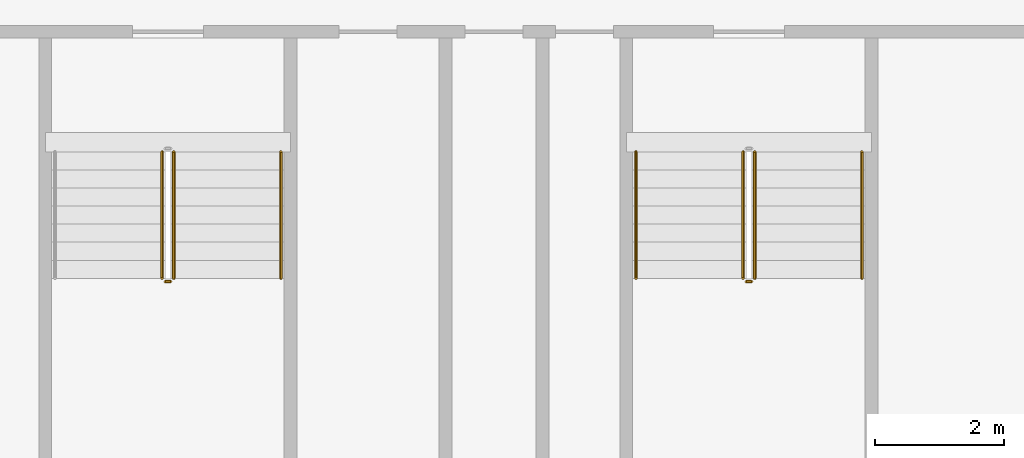
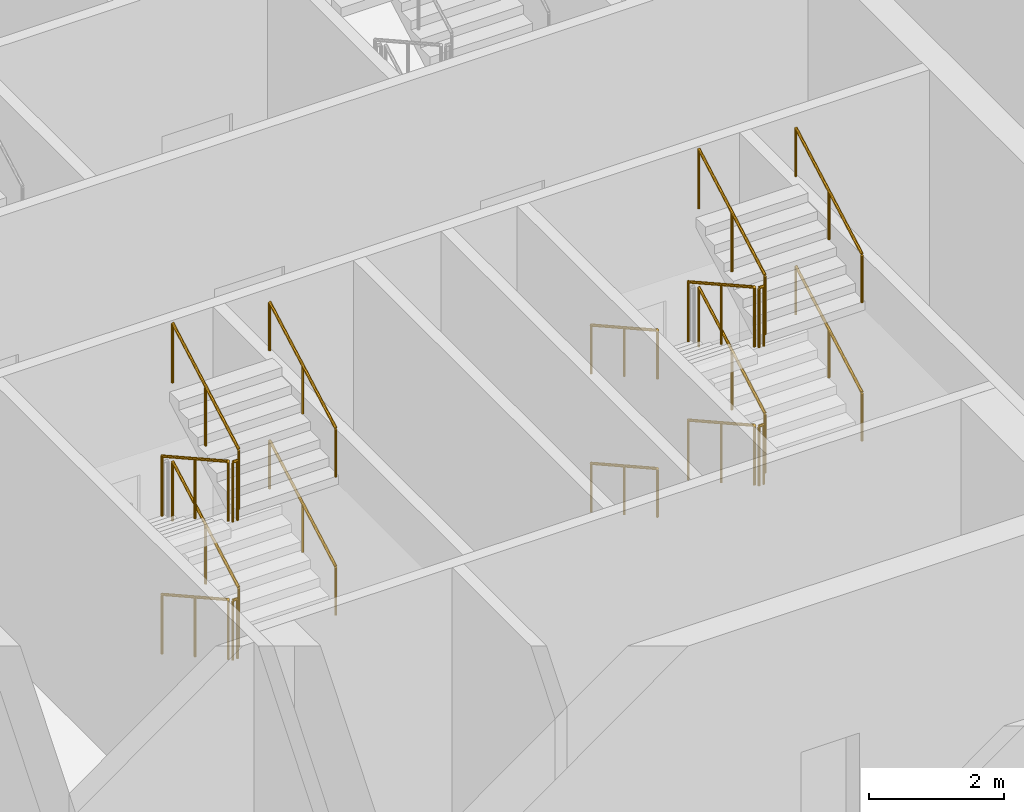
# One storey, part 13 of 21: 18 railings.
"""IFC4 building model written with IfcOpenShell, lengths in metres."""

from ifc_helpers import new_model, si_unit, direction, frame, origin, origin_2d, place, context, subcontext, project, spatial, circle, extrude, material, type_object, element, save


model = new_model("IFC4")

# Units and contexts
model_context = context("Model", 3, precision=1e-05, world=origin(), true_north=direction((0.0, 1.0)))
body_context = subcontext(model_context, "Body", "Model", "MODEL_VIEW")
ifc_project = project(units=[si_unit("LENGTHUNIT", "METRE"), si_unit("AREAUNIT", "SQUARE_METRE"), si_unit("VOLUMEUNIT", "CUBIC_METRE"), si_unit("PLANEANGLEUNIT", "RADIAN"), si_unit("MASSUNIT", "GRAM", prefix="KILO")], contexts=[model_context])

# Site, building, storey
site_placement = place(None, origin())
site = spatial("IfcSite", under=ifc_project, at=site_placement, CompositionType="ELEMENT")
building_placement = place(site_placement, origin())
building = spatial("IfcBuilding", under=site, at=building_placement, Name="Tarsis Ring Headquarters", CompositionType="ELEMENT")
storey_placement = place(building_placement, frame((0.0, 0.0, 398.60009765625)))
storey = spatial("IfcBuildingStorey", under=building, at=storey_placement, Name="L94", CompositionType="ELEMENT", Elevation=398.60009765625)

# Railings
ifc_material = material(Name="Steel S355", Category="steel")
railing_type_1 = type_object("IfcRailingType", Name="Core stair guard 1100", PredefinedType="GUARDRAIL", material=ifc_material)
railing_1_placement = place(storey_placement, frame((-4.590087890625, -3.659912109375, 0.15625)))
element("IfcRailing", 1, at=railing_1_placement, inside=storey, type_object=railing_type_1, Name="L94 ST3 stair guard 1", PredefinedType="GUARDRAIL", context=body_context, shape_type="SweptSolid", body=[
    extrude(circle(Radius=0.02392578125, at=origin_2d()), frame((0.0, 0.0, 1.076171875), z_axis=(0.0, -0.873257974695, 0.487258155017), x_axis=(1.0, 0.0, 0.0)), (0.0, 0.0, 1.0), 2.24462890625),
    extrude(circle(Radius=0.02099609375, at=origin_2d()), origin(), (0.0, 0.0, 1.0), 1.052001953125),
    extrude(circle(Radius=0.02099609375, at=origin_2d()), frame((0.0, -0.97998046875, 0.546875)), (0.0, 0.0, 1.0), 1.052001953125),
    extrude(circle(Radius=0.02099609375, at=origin_2d()), frame((0.0, -1.960205078125, 1.09375)), (0.0, 0.0, 1.0), 1.052001953125),
])
railing_2_placement = place(storey_placement, frame((-4.5400390625, -5.669921875, 1.25)))
element("IfcRailing", 2, at=railing_2_placement, inside=storey, type_object=railing_type_1, Name="L94 ST3 stair guard 2", PredefinedType="GUARDRAIL", context=body_context, shape_type="SweptSolid", body=[
    extrude(circle(Radius=0.02392578125, at=origin_2d()), frame((0.0, 0.0, 1.076171875), z_axis=(1.0, 0.0, 0.0), x_axis=(0.0, 1.0, 0.0)), (0.0, 0.0, 1.0), 0.080078125),
    extrude(circle(Radius=0.02099609375, at=origin_2d()), origin(), (0.0, 0.0, 1.0), 1.052001953125),
    extrude(circle(Radius=0.02099609375, at=origin_2d()), frame((0.080078125, 0.0, 0.0)), (0.0, 0.0, 1.0), 1.052001953125),
])
railing_3_placement = place(storey_placement, frame((-4.409912109375, -5.6201171875, 1.40625)))
element("IfcRailing", 3, at=railing_3_placement, inside=storey, type_object=railing_type_1, Name="L94 ST3 stair guard 3", PredefinedType="GUARDRAIL", context=body_context, shape_type="SweptSolid", body=[
    extrude(circle(Radius=0.02392578125, at=origin_2d()), frame((0.0, 0.0, 1.076171875), z_axis=(0.0, 0.873257974695, 0.487258155017), x_axis=(-1.0, 0.0, 0.0)), (0.0, 0.0, 1.0), 2.24462890625),
    extrude(circle(Radius=0.02099609375, at=origin_2d()), origin(), (0.0, 0.0, 1.0), 1.052001953125),
    extrude(circle(Radius=0.02099609375, at=origin_2d()), frame((0.0, 0.97998046875, 0.546875)), (0.0, 0.0, 1.0), 1.052001953125),
    extrude(circle(Radius=0.02099609375, at=origin_2d()), frame((0.0, 1.960205078125, 1.09375)), (0.0, 0.0, 1.0), 1.052001953125),
])
railing_4_placement = place(storey_placement, frame((-4.590087890625, -3.659912109375, 2.65625)))
element("IfcRailing", 4, at=railing_4_placement, inside=storey, type_object=railing_type_1, Name="L94 ST3 stair guard 5", PredefinedType="GUARDRAIL", context=body_context, shape_type="SweptSolid", body=[
    extrude(circle(Radius=0.02392578125, at=origin_2d()), frame((0.0, 0.0, 1.076171875), z_axis=(0.0, -0.873257974695, 0.487258155017), x_axis=(1.0, 0.0, 0.0)), (0.0, 0.0, 1.0), 2.24462890625),
    extrude(circle(Radius=0.02099609375, at=origin_2d()), origin(), (0.0, 0.0, 1.0), 1.052001953125),
    extrude(circle(Radius=0.02099609375, at=origin_2d()), frame((0.0, -0.97998046875, 0.546875)), (0.0, 0.0, 1.0), 1.052001953125),
    extrude(circle(Radius=0.02099609375, at=origin_2d()), frame((0.0, -1.960205078125, 1.09375)), (0.0, 0.0, 1.0), 1.052001953125),
])
railing_5_placement = place(storey_placement, frame((-4.5400390625, -5.669921875, 3.75)))
element("IfcRailing", 5, at=railing_5_placement, inside=storey, type_object=railing_type_1, Name="L94 ST3 stair guard 6", PredefinedType="GUARDRAIL", context=body_context, shape_type="SweptSolid", body=[
    extrude(circle(Radius=0.02392578125, at=origin_2d()), frame((0.0, 0.0, 1.076171875), z_axis=(1.0, 0.0, 0.0), x_axis=(0.0, 1.0, 0.0)), (0.0, 0.0, 1.0), 0.080078125),
    extrude(circle(Radius=0.02099609375, at=origin_2d()), origin(), (0.0, 0.0, 1.0), 1.052001953125),
    extrude(circle(Radius=0.02099609375, at=origin_2d()), frame((0.080078125, 0.0, 0.0)), (0.0, 0.0, 1.0), 1.052001953125),
])
railing_6_placement = place(storey_placement, frame((-4.409912109375, -5.6201171875, 3.90625)))
element("IfcRailing", 6, at=railing_6_placement, inside=storey, type_object=railing_type_1, Name="L94 ST3 stair guard 7", PredefinedType="GUARDRAIL", context=body_context, shape_type="SweptSolid", body=[
    extrude(circle(Radius=0.02392578125, at=origin_2d()), frame((0.0, 0.0, 1.076171875), z_axis=(0.0, 0.873257974695, 0.487258155017), x_axis=(-1.0, 0.0, 0.0)), (0.0, 0.0, 1.0), 2.24462890625),
    extrude(circle(Radius=0.02099609375, at=origin_2d()), origin(), (0.0, 0.0, 1.0), 1.052001953125),
    extrude(circle(Radius=0.02099609375, at=origin_2d()), frame((0.0, 0.97998046875, 0.546875)), (0.0, 0.0, 1.0), 1.052001953125),
    extrude(circle(Radius=0.02099609375, at=origin_2d()), frame((0.0, 1.960205078125, 1.09375)), (0.0, 0.0, 1.0), 1.052001953125),
])
railing_7_placement = place(storey_placement, frame((4.409912109375, -3.659912109375, 0.15625)))
element("IfcRailing", 7, at=railing_7_placement, inside=storey, type_object=railing_type_1, Name="L94 ST4 stair guard 1", PredefinedType="GUARDRAIL", context=body_context, shape_type="SweptSolid", body=[
    extrude(circle(Radius=0.02392578125, at=origin_2d()), frame((0.0, 0.0, 1.076171875), z_axis=(0.0, -0.873257974695, 0.487258155017), x_axis=(1.0, 0.0, 0.0)), (0.0, 0.0, 1.0), 2.24462890625),
    extrude(circle(Radius=0.02099609375, at=origin_2d()), origin(), (0.0, 0.0, 1.0), 1.052001953125),
    extrude(circle(Radius=0.02099609375, at=origin_2d()), frame((0.0, -0.97998046875, 0.546875)), (0.0, 0.0, 1.0), 1.052001953125),
    extrude(circle(Radius=0.02099609375, at=origin_2d()), frame((0.0, -1.960205078125, 1.09375)), (0.0, 0.0, 1.0), 1.052001953125),
])
railing_8_placement = place(storey_placement, frame((4.4599609375, -5.669921875, 1.25)))
element("IfcRailing", 8, at=railing_8_placement, inside=storey, type_object=railing_type_1, Name="L94 ST4 stair guard 2", PredefinedType="GUARDRAIL", context=body_context, shape_type="SweptSolid", body=[
    extrude(circle(Radius=0.02392578125, at=origin_2d()), frame((0.0, 0.0, 1.076171875), z_axis=(1.0, 0.0, 0.0), x_axis=(0.0, 1.0, 0.0)), (0.0, 0.0, 1.0), 0.080078125),
    extrude(circle(Radius=0.02099609375, at=origin_2d()), origin(), (0.0, 0.0, 1.0), 1.052001953125),
    extrude(circle(Radius=0.02099609375, at=origin_2d()), frame((0.080078125, 0.0, 0.0)), (0.0, 0.0, 1.0), 1.052001953125),
])
railing_9_placement = place(storey_placement, frame((4.590087890625, -5.6201171875, 1.40625)))
element("IfcRailing", 9, at=railing_9_placement, inside=storey, type_object=railing_type_1, Name="L94 ST4 stair guard 3", PredefinedType="GUARDRAIL", context=body_context, shape_type="SweptSolid", body=[
    extrude(circle(Radius=0.02392578125, at=origin_2d()), frame((0.0, 0.0, 1.076171875), z_axis=(0.0, 0.873257974695, 0.487258155017), x_axis=(-1.0, 0.0, 0.0)), (0.0, 0.0, 1.0), 2.24462890625),
    extrude(circle(Radius=0.02099609375, at=origin_2d()), origin(), (0.0, 0.0, 1.0), 1.052001953125),
    extrude(circle(Radius=0.02099609375, at=origin_2d()), frame((0.0, 0.97998046875, 0.546875)), (0.0, 0.0, 1.0), 1.052001953125),
    extrude(circle(Radius=0.02099609375, at=origin_2d()), frame((0.0, 1.960205078125, 1.09375)), (0.0, 0.0, 1.0), 1.052001953125),
])
railing_10_placement = place(storey_placement, frame((4.409912109375, -3.659912109375, 2.65625)))
element("IfcRailing", 10, at=railing_10_placement, inside=storey, type_object=railing_type_1, Name="L94 ST4 stair guard 5", PredefinedType="GUARDRAIL", context=body_context, shape_type="SweptSolid", body=[
    extrude(circle(Radius=0.02392578125, at=origin_2d()), frame((0.0, 0.0, 1.076171875), z_axis=(0.0, -0.873257974695, 0.487258155017), x_axis=(1.0, 0.0, 0.0)), (0.0, 0.0, 1.0), 2.24462890625),
    extrude(circle(Radius=0.02099609375, at=origin_2d()), origin(), (0.0, 0.0, 1.0), 1.052001953125),
    extrude(circle(Radius=0.02099609375, at=origin_2d()), frame((0.0, -0.97998046875, 0.546875)), (0.0, 0.0, 1.0), 1.052001953125),
    extrude(circle(Radius=0.02099609375, at=origin_2d()), frame((0.0, -1.960205078125, 1.09375)), (0.0, 0.0, 1.0), 1.052001953125),
])
railing_11_placement = place(storey_placement, frame((4.4599609375, -5.669921875, 3.75)))
element("IfcRailing", 11, at=railing_11_placement, inside=storey, type_object=railing_type_1, Name="L94 ST4 stair guard 6", PredefinedType="GUARDRAIL", context=body_context, shape_type="SweptSolid", body=[
    extrude(circle(Radius=0.02392578125, at=origin_2d()), frame((0.0, 0.0, 1.076171875), z_axis=(1.0, 0.0, 0.0), x_axis=(0.0, 1.0, 0.0)), (0.0, 0.0, 1.0), 0.080078125),
    extrude(circle(Radius=0.02099609375, at=origin_2d()), origin(), (0.0, 0.0, 1.0), 1.052001953125),
    extrude(circle(Radius=0.02099609375, at=origin_2d()), frame((0.080078125, 0.0, 0.0)), (0.0, 0.0, 1.0), 1.052001953125),
])
railing_12_placement = place(storey_placement, frame((4.590087890625, -5.6201171875, 3.90625)))
element("IfcRailing", 12, at=railing_12_placement, inside=storey, type_object=railing_type_1, Name="L94 ST4 stair guard 7", PredefinedType="GUARDRAIL", context=body_context, shape_type="SweptSolid", body=[
    extrude(circle(Radius=0.02392578125, at=origin_2d()), frame((0.0, 0.0, 1.076171875), z_axis=(0.0, 0.873257974695, 0.487258155017), x_axis=(-1.0, 0.0, 0.0)), (0.0, 0.0, 1.0), 2.24462890625),
    extrude(circle(Radius=0.02099609375, at=origin_2d()), origin(), (0.0, 0.0, 1.0), 1.052001953125),
    extrude(circle(Radius=0.02099609375, at=origin_2d()), frame((0.0, 0.97998046875, 0.546875)), (0.0, 0.0, 1.0), 1.052001953125),
    extrude(circle(Radius=0.02099609375, at=origin_2d()), frame((0.0, 1.960205078125, 1.09375)), (0.0, 0.0, 1.0), 1.052001953125),
])
railing_type_2 = type_object("IfcRailingType", Name="Core stair handrail 900", PredefinedType="HANDRAIL", material=ifc_material)
for number, where, name in (
    (13, (-2.75, -5.6201171875, 1.40625), "L94 ST3 stair handrail 2"),
    (14, (-2.75, -5.6201171875, 3.90625), "L94 ST3 stair handrail 4"),
):
    element("IfcRailing", number, at=place(storey_placement, frame(where)), inside=storey, type_object=railing_type_2, Name=name, PredefinedType="HANDRAIL", context=body_context, shape_type="SweptSolid", body=[
        extrude(circle(Radius=0.02392578125, at=origin_2d()), frame((0.0, 0.0, 0.8759765625), z_axis=(0.0, 0.873257974695, 0.487258155017), x_axis=(-1.0, 0.0, 0.0)), (0.0, 0.0, 1.0), 2.24462890625),
        extrude(circle(Radius=0.02099609375, at=origin_2d()), origin(), (0.0, 0.0, 1.0), 0.851806640625),
        extrude(circle(Radius=0.02099609375, at=origin_2d()), frame((0.0, 0.97998046875, 0.546875)), (0.0, 0.0, 1.0), 0.851806640625),
        extrude(circle(Radius=0.02099609375, at=origin_2d()), frame((0.0, 1.960205078125, 1.09375)), (0.0, 0.0, 1.0), 0.851806640625),
    ])
railing_13_placement = place(storey_placement, frame((2.75, -3.659912109375, 0.15625)))
element("IfcRailing", 15, at=railing_13_placement, inside=storey, type_object=railing_type_2, Name="L94 ST4 stair handrail 1", PredefinedType="HANDRAIL", context=body_context, shape_type="SweptSolid", body=[
    extrude(circle(Radius=0.02392578125, at=origin_2d()), frame((0.0, 0.0, 0.8759765625), z_axis=(0.0, -0.873257974695, 0.487258155017), x_axis=(1.0, 0.0, 0.0)), (0.0, 0.0, 1.0), 2.24462890625),
    extrude(circle(Radius=0.02099609375, at=origin_2d()), origin(), (0.0, 0.0, 1.0), 0.851806640625),
    extrude(circle(Radius=0.02099609375, at=origin_2d()), frame((0.0, -0.97998046875, 0.546875)), (0.0, 0.0, 1.0), 0.851806640625),
    extrude(circle(Radius=0.02099609375, at=origin_2d()), frame((0.0, -1.960205078125, 1.09375)), (0.0, 0.0, 1.0), 0.851806640625),
])
railing_14_placement = place(storey_placement, frame((6.25, -5.6201171875, 1.40625)))
element("IfcRailing", 16, at=railing_14_placement, inside=storey, type_object=railing_type_2, Name="L94 ST4 stair handrail 2", PredefinedType="HANDRAIL", context=body_context, shape_type="SweptSolid", body=[
    extrude(circle(Radius=0.02392578125, at=origin_2d()), frame((0.0, 0.0, 0.8759765625), z_axis=(0.0, 0.873257974695, 0.487258155017), x_axis=(-1.0, 0.0, 0.0)), (0.0, 0.0, 1.0), 2.24462890625),
    extrude(circle(Radius=0.02099609375, at=origin_2d()), origin(), (0.0, 0.0, 1.0), 0.851806640625),
    extrude(circle(Radius=0.02099609375, at=origin_2d()), frame((0.0, 0.97998046875, 0.546875)), (0.0, 0.0, 1.0), 0.851806640625),
    extrude(circle(Radius=0.02099609375, at=origin_2d()), frame((0.0, 1.960205078125, 1.09375)), (0.0, 0.0, 1.0), 0.851806640625),
])
railing_15_placement = place(storey_placement, frame((2.75, -3.659912109375, 2.65625)))
element("IfcRailing", 17, at=railing_15_placement, inside=storey, type_object=railing_type_2, Name="L94 ST4 stair handrail 3", PredefinedType="HANDRAIL", context=body_context, shape_type="SweptSolid", body=[
    extrude(circle(Radius=0.02392578125, at=origin_2d()), frame((0.0, 0.0, 0.8759765625), z_axis=(0.0, -0.873257974695, 0.487258155017), x_axis=(1.0, 0.0, 0.0)), (0.0, 0.0, 1.0), 2.24462890625),
    extrude(circle(Radius=0.02099609375, at=origin_2d()), origin(), (0.0, 0.0, 1.0), 0.851806640625),
    extrude(circle(Radius=0.02099609375, at=origin_2d()), frame((0.0, -0.97998046875, 0.546875)), (0.0, 0.0, 1.0), 0.851806640625),
    extrude(circle(Radius=0.02099609375, at=origin_2d()), frame((0.0, -1.960205078125, 1.09375)), (0.0, 0.0, 1.0), 0.851806640625),
])
railing_16_placement = place(storey_placement, frame((6.25, -5.6201171875, 3.90625)))
element("IfcRailing", 18, at=railing_16_placement, inside=storey, type_object=railing_type_2, Name="L94 ST4 stair handrail 4", PredefinedType="HANDRAIL", context=body_context, shape_type="SweptSolid", body=[
    extrude(circle(Radius=0.02392578125, at=origin_2d()), frame((0.0, 0.0, 0.8759765625), z_axis=(0.0, 0.873257974695, 0.487258155017), x_axis=(-1.0, 0.0, 0.0)), (0.0, 0.0, 1.0), 2.24462890625),
    extrude(circle(Radius=0.02099609375, at=origin_2d()), origin(), (0.0, 0.0, 1.0), 0.851806640625),
    extrude(circle(Radius=0.02099609375, at=origin_2d()), frame((0.0, 0.97998046875, 0.546875)), (0.0, 0.0, 1.0), 0.851806640625),
    extrude(circle(Radius=0.02099609375, at=origin_2d()), frame((0.0, 1.960205078125, 1.09375)), (0.0, 0.0, 1.0), 0.851806640625),
])

save(model, "model.ifc")
